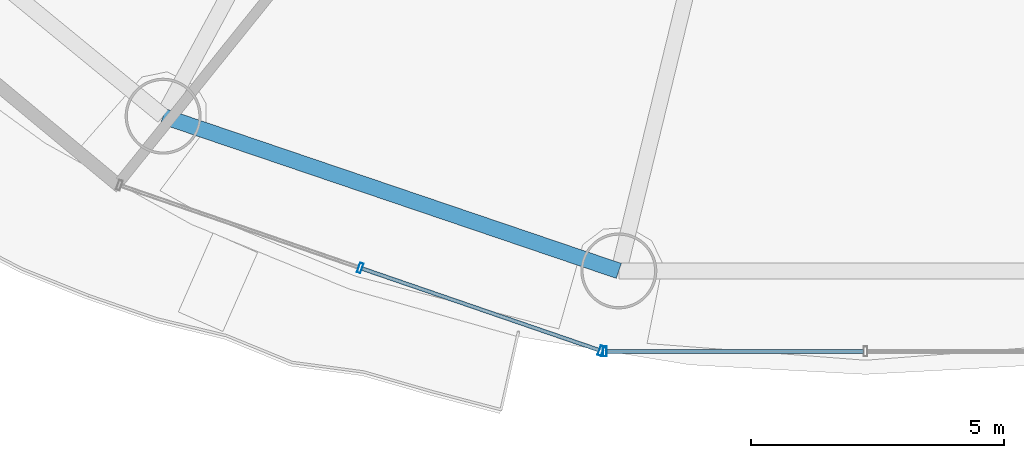
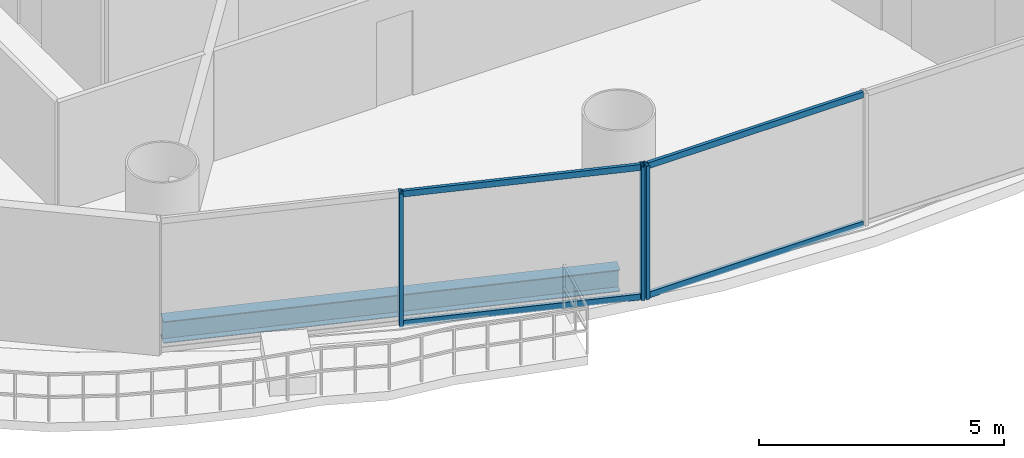
# One storey, part 4 of 29: 7 members, 1 beam, 2 elements without a shape of their own.
"""IFC4 building model written with IfcOpenShell, lengths in metres."""

from ifc_helpers import new_model, si_unit, direction, frame, origin, origin_2d, place, context, subcontext, project, spatial, hollow_rectangle, i_section, extrude, source, transform, mapped, material, material_profile, profile_set, type_object, element, aggregate, save


model = new_model("IFC4")

# Units and contexts
model_context = context("Model", 3, precision=1e-05, world=origin(), true_north=direction((-0.2419218956, 0.970295726276)))
body_context = subcontext(model_context, "Body", "Model", "MODEL_VIEW")
ifc_project = project(units=[si_unit("LENGTHUNIT", "METRE"), si_unit("AREAUNIT", "SQUARE_METRE"), si_unit("VOLUMEUNIT", "CUBIC_METRE"), si_unit("PLANEANGLEUNIT", "RADIAN"), si_unit("MASSUNIT", "GRAM", prefix="KILO")], contexts=[model_context])

# Site, building, storey
site_placement = place(None, origin())
site = spatial("IfcSite", under=ifc_project, at=site_placement, CompositionType="ELEMENT")
building_placement = place(site_placement, origin())
building = spatial("IfcBuilding", under=site, at=building_placement, Name="Cobrevalo Terracotta Tower", CompositionType="ELEMENT")
storey_placement = place(building_placement, frame((0.0, 0.0, 112.199951171875)))
storey = spatial("IfcBuildingStorey", under=building, at=storey_placement, Name="L29", CompositionType="ELEMENT", Elevation=112.199951171875)

# Beam
ifc_material_1 = material(Name="Steel S355", Category="steel")
ifc_material_profile_1 = material_profile(ifc_material_1, i_section(OverallWidth=0.31201171875, OverallDepth=0.54296875, WebThickness=0.0126953125, FlangeThickness=0.020263671875, at=origin_2d()), Name="W 530x150")
ifc_profile_set_1 = profile_set([ifc_material_profile_1], Name="Steel S355")
beam_type = type_object("IfcBeamType", Name="Structural Spandrel W 530x150 (Steel S355)", PredefinedType="SPANDREL", material=ifc_profile_set_1)
beam_placement = place(storey_placement, frame((24.138427734375, 9.79638671875, -0.54638671875), z_axis=(0.94691835344, -0.321474154356, 0.0), x_axis=(0.321474154356, 0.94691835344, 0.0)))
element("IfcBeam", 1, at=beam_placement, inside=storey, type_object=beam_type, Name="L29 perimeter ring spandrel 11", PredefinedType="SPANDREL", context=body_context, shape_type="SweptSolid", body=[
    extrude(i_section(OverallWidth=0.31201171875, OverallDepth=0.54296875, WebThickness=0.0126953125, FlangeThickness=0.020263671875, at=origin_2d()), origin(), (0.0, 0.0, 1.0), 9.498291015625),
])

# Curtain wall, members
ifc_material_2 = material(Name="Anodized aluminium", Category="aluminium")
curtain_wall_type = type_object("IfcCurtainWallType", Name="Lower-tower unitised acoustic low-E curtain wall CW-U1", PredefinedType="NOTDEFINED", material=ifc_material_2)
curtain_wall_1_placement = place(storey_placement, origin())
curtain_wall_1 = element("IfcCurtainWall", 2, at=curtain_wall_1_placement, inside=storey, type_object=curtain_wall_type, Name="L29 curtain wall CW-L29-S11", PredefinedType="NOTDEFINED")
ifc_material_profile_2 = material_profile(ifc_material_2, hollow_rectangle(XDim=0.074951171875, YDim=0.199951171875, WallThickness=0.0048828125, at=origin_2d()), Name="CWM 75x200")
ifc_profile_set_2 = profile_set([ifc_material_profile_2], Name="Anodized aluminium")
member_type_1 = type_object("IfcMemberType", Name="Lower/mid tower unitised mullion 75x200", PredefinedType="MULLION", material=ifc_profile_set_2)
shared_shape_1 = source(origin(), body_context, "Body", "SweptSolid", [
    extrude(hollow_rectangle(XDim=0.074951171875, YDim=0.199951171875, WallThickness=0.0048828125, at=origin_2d()), origin(), (0.0, 0.0, 1.0), 3.324951171875),
])
member_1_placement = place(storey_placement, frame((28.027587890625, 6.8017578125, 0.0), z_axis=(0.0, 0.0, 1.0), x_axis=(0.94559809868, -0.325337110968, 0.0)))
member_1 = element("IfcMember", 3, at=member_1_placement, type_object=member_type_1, Name="CW-L29-S11 vertical mullion 02", PredefinedType="MULLION", context=body_context, shape_type="MappedRepresentation", body=[
    mapped(shared_shape_1, transform((0.0, 0.0, 0.0), scale=1.0)),
])
member_2_placement = place(storey_placement, frame((32.778564453125, 5.1669921875, 0.0), z_axis=(0.0, 0.0, 1.0), x_axis=(0.94559809868, -0.325337110968, 0.0)))
member_2 = element("IfcMember", 4, at=member_2_placement, type_object=member_type_1, Name="CW-L29-S11 vertical mullion 03", PredefinedType="MULLION", context=body_context, shape_type="MappedRepresentation", body=[
    mapped(shared_shape_1, transform((0.0, 0.0, 0.0), scale=1.0)),
])

# Curtain wall, member
curtain_wall_2_placement = place(storey_placement, origin())
curtain_wall_2 = element("IfcCurtainWall", 5, at=curtain_wall_2_placement, inside=storey, type_object=curtain_wall_type, Name="L29 curtain wall CW-L29-S12", PredefinedType="NOTDEFINED")
member_3_placement = place(storey_placement, frame((32.8564453125, 5.154052734375, 0.0), z_axis=(0.0, 0.0, 1.0), x_axis=(1.0, 0.0, 0.0)))
member_3 = element("IfcMember", 6, at=member_3_placement, type_object=member_type_1, Name="CW-L29-S12 vertical mullion 01", PredefinedType="MULLION", context=body_context, shape_type="MappedRepresentation", body=[
    mapped(shared_shape_1, transform((0.0, 0.0, 0.0), scale=1.0)),
])

# Member
ifc_material_profile_3 = material_profile(ifc_material_2, hollow_rectangle(XDim=0.074951171875, YDim=0.14990234375, WallThickness=0.00439453125, at=origin_2d()), Name="CWT 75x150")
ifc_profile_set_3 = profile_set([ifc_material_profile_3], Name="Anodized aluminium")
member_type_2 = type_object("IfcMemberType", Name="Tower unitised aluminium transom 75x150", PredefinedType="USERDEFINED", material=ifc_profile_set_3)
shared_shape_2 = source(origin(), body_context, "Body", "SweptSolid", [
    extrude(hollow_rectangle(XDim=0.074951171875, YDim=0.14990234375, WallThickness=0.00439453125, at=origin_2d()), origin(), (0.0, 0.0, 1.0), 4.944580078125),
])
member_4_placement = place(storey_placement, frame((28.065185546875, 6.788818359375, 0.050048828125), z_axis=(0.945597859971, -0.32533780478, 0.0), x_axis=(0.32533780478, 0.945597859971, 0.0)))
member_4 = element("IfcMember", 7, at=member_4_placement, type_object=member_type_2, Name="CW-L29-S11 transom B02-T1", ObjectType="TRANSOM", PredefinedType="USERDEFINED", context=body_context, shape_type="MappedRepresentation", body=[
    mapped(shared_shape_2, transform((0.0, 0.0, 0.0), scale=1.0)),
])

member_5_placement = place(storey_placement, frame((28.065185546875, 6.788818359375, 3.275146484375), z_axis=(0.945597859971, -0.32533780478, 0.0), x_axis=(0.32533780478, 0.945597859971, 0.0)))
member_5 = element("IfcMember", 8, at=member_5_placement, type_object=member_type_2, Name="CW-L29-S11 transom B02-T2", ObjectType="TRANSOM", PredefinedType="USERDEFINED", context=body_context, shape_type="MappedRepresentation", body=[
    mapped(shared_shape_2, transform((0.0, 0.0, 0.0), scale=1.0)),
])

aggregate(curtain_wall_1, [member_1, member_2, member_4, member_5])

shared_shape_3 = source(origin(), body_context, "Body", "SweptSolid", [
    extrude(hollow_rectangle(XDim=0.074951171875, YDim=0.14990234375, WallThickness=0.00439453125, at=origin_2d()), origin(), (0.0, 0.0, 1.0), 5.0634765625),
])
member_6_placement = place(storey_placement, frame((32.896484375, 5.154052734375, 0.050048828125), z_axis=(1.0, 0.0, 0.0), x_axis=(0.0, 1.0, 0.0)))
member_6 = element("IfcMember", 9, at=member_6_placement, type_object=member_type_2, Name="CW-L29-S12 transom B01-T1", ObjectType="TRANSOM", PredefinedType="USERDEFINED", context=body_context, shape_type="MappedRepresentation", body=[
    mapped(shared_shape_3, transform((0.0, 0.0, 0.0), scale=1.0)),
])

member_7_placement = place(storey_placement, frame((32.896484375, 5.154052734375, 3.275146484375), z_axis=(1.0, 0.0, 0.0), x_axis=(0.0, 1.0, 0.0)))
member_7 = element("IfcMember", 10, at=member_7_placement, type_object=member_type_2, Name="CW-L29-S12 transom B01-T2", ObjectType="TRANSOM", PredefinedType="USERDEFINED", context=body_context, shape_type="MappedRepresentation", body=[
    mapped(shared_shape_3, transform((0.0, 0.0, 0.0), scale=1.0)),
])

aggregate(curtain_wall_2, [member_3, member_6, member_7])

save(model, "model.ifc")
